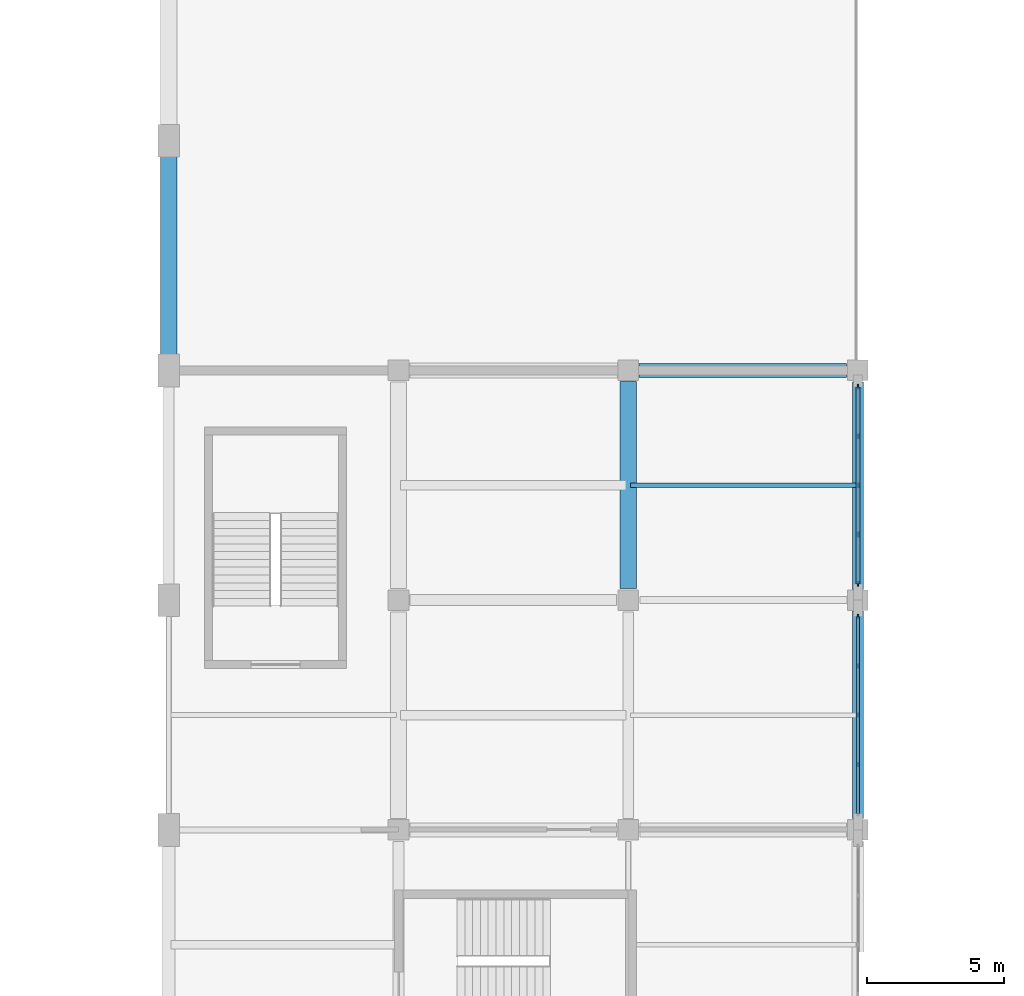
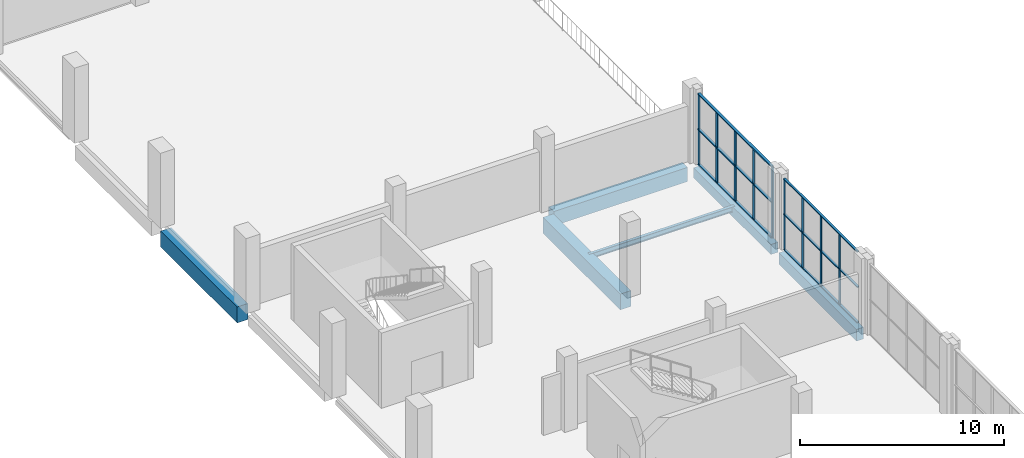
# One storey, part 34 of 75: 15 members, 6 beams, 2 elements without a shape of their own.
"""IFC4 building model written with IfcOpenShell, lengths in metres."""

from ifc_helpers import new_model, si_unit, derived_unit, direction, frame, origin, origin_2d, place, context, subcontext, project, spatial, rectangle, i_section, extrude, material, material_profile, profile_set, type_object, element, aggregate, save


model = new_model("IFC4")

# Units and contexts
model_context = context("Model", 3, precision=1e-05, world=origin(), true_north=direction((0.0, 1.0)))
body_context = subcontext(model_context, "Body", "Model", "MODEL_VIEW")
ifc_project = project(units=[si_unit("LENGTHUNIT", "METRE"), si_unit("AREAUNIT", "SQUARE_METRE"), si_unit("VOLUMEUNIT", "CUBIC_METRE"), si_unit("PLANEANGLEUNIT", "RADIAN"), si_unit("MASSUNIT", "GRAM", prefix="KILO"), derived_unit("THERMALTRANSMITTANCEUNIT", [(si_unit("POWERUNIT", "WATT"), 1), (si_unit("LENGTHUNIT", "METRE"), -2), (si_unit("THERMODYNAMICTEMPERATUREUNIT", "KELVIN"), -1)])], contexts=[model_context])

# Site, building, storey
site_placement = place(None, origin())
site = spatial("IfcSite", under=ifc_project, at=site_placement, CompositionType="ELEMENT")
building_placement = place(site_placement, origin())
building = spatial("IfcBuilding", under=site, at=building_placement, Name="Barrovel Congress Hotel", CompositionType="ELEMENT")
storey_placement = place(building_placement, frame((0.0, 0.0, 5.39990234375)))
storey = spatial("IfcBuildingStorey", under=building, at=storey_placement, Name="L01", CompositionType="ELEMENT", Elevation=5.39990234375)

# Beams
ifc_material_1 = material(Name="Concrete C40", Category="concrete")
ifc_material_profile_1 = material_profile(ifc_material_1, rectangle(XDim=0.39990234375, YDim=0.60009765625, at=origin_2d()), Name="RC400x600")
ifc_profile_set_1 = profile_set([ifc_material_profile_1], Name="Concrete C40")
beam_type_1 = type_object("IfcBeamType", Name="BM-RC400x600", PredefinedType="BEAM", material=ifc_profile_set_1)
beam_1_placement = place(storey_placement, frame((58.800048828125, 71.800048828125, -0.559814453125), z_axis=(0.0, 1.0, 0.0), x_axis=(-1.0, 0.0, 0.0)))
element("IfcBeam", 1, at=beam_1_placement, inside=storey, type_object=beam_type_1, Name="BMY:L01:58.8:71.4-79.8", PredefinedType="BEAM", context=body_context, shape_type="SweptSolid", body=[
    extrude(rectangle(XDim=0.39990234375, YDim=0.60009765625, at=origin_2d()), origin(), (0.0, 0.0, 1.0), 7.574951171875),
])
ifc_material_profile_2 = material_profile(ifc_material_1, rectangle(XDim=0.39990234375, YDim=0.699951171875, at=origin_2d()), Name="RC400x700")
ifc_profile_set_2 = profile_set([ifc_material_profile_2], Name="Concrete C40")
beam_type_2 = type_object("IfcBeamType", Name="BM-RC400x700", PredefinedType="BEAM", material=ifc_profile_set_2)
beam_2_placement = place(storey_placement, frame((58.800048828125, 63.425048828125, -0.60986328125), z_axis=(0.0, 1.0, 0.0), x_axis=(-1.0, 0.0, 0.0)))
element("IfcBeam", 2, at=beam_2_placement, inside=storey, type_object=beam_type_2, Name="BMY:L01:58.8:63.0-71.4", PredefinedType="BEAM", context=body_context, shape_type="SweptSolid", body=[
    extrude(rectangle(XDim=0.39990234375, YDim=0.699951171875, at=origin_2d()), origin(), (0.0, 0.0, 1.0), 7.574951171875),
])
ifc_material_profile_3 = material_profile(ifc_material_1, rectangle(XDim=0.5, YDim=0.85009765625, at=origin_2d()), Name="RC500x850")
ifc_profile_set_3 = profile_set([ifc_material_profile_3], Name="Concrete C40")
beam_type_3 = type_object("IfcBeamType", Name="BM-RC500x850", PredefinedType="BEAM", material=ifc_profile_set_3)
beam_3_placement = place(storey_placement, frame((50.800048828125, 79.800048828125, -0.684814453125), z_axis=(1.0, 0.0, 0.0), x_axis=(0.0, 1.0, 0.0)))
element("IfcBeam", 3, at=beam_3_placement, inside=storey, type_object=beam_type_3, Name="BMX:L01:79.8:50.4-58.8", PredefinedType="BEAM", context=body_context, shape_type="SweptSolid", body=[
    extrude(rectangle(XDim=0.5, YDim=0.85009765625, at=origin_2d()), origin(), (0.0, 0.0, 1.0), 7.574951171875),
])
ifc_material_profile_4 = material_profile(ifc_material_1, rectangle(XDim=0.60009765625, YDim=0.949951171875, at=origin_2d()), Name="RC600x950")
ifc_profile_set_4 = profile_set([ifc_material_profile_4], Name="Concrete C40")
beam_type_4 = type_object("IfcBeamType", Name="BM-RC600x950", PredefinedType="BEAM", material=ifc_profile_set_4)
beam_4_placement = place(storey_placement, frame((33.60009765625, 80.25, -0.73486328125), z_axis=(0.0, 1.0, 0.0), x_axis=(-1.0, 0.0, 0.0)))
element("IfcBeam", 4, at=beam_4_placement, inside=storey, type_object=beam_type_4, Name="BMY:L01:33.6:79.8-88.2", PredefinedType="BEAM", context=body_context, shape_type="SweptSolid", body=[
    extrude(rectangle(XDim=0.60009765625, YDim=0.949951171875, at=origin_2d()), origin(), (0.0, 0.0, 1.0), 7.5),
])
beam_5_placement = place(storey_placement, frame((50.39990234375, 71.824951171875, -0.73486328125), z_axis=(0.0, 1.0, 0.0), x_axis=(-1.0, 0.0, 0.0)))
element("IfcBeam", 5, at=beam_5_placement, inside=storey, type_object=beam_type_4, Name="BMY:L01:50.4:71.4-79.8", PredefinedType="BEAM", context=body_context, shape_type="SweptSolid", body=[
    extrude(rectangle(XDim=0.60009765625, YDim=0.949951171875, at=origin_2d()), origin(), (0.0, 0.0, 1.0), 7.574951171875),
])

# Curtain wall, members
ifc_material_2 = material(Name="Anodised Aluminium Alloy 6063-T6", Category="aluminium")
curtain_wall_type = type_object("IfcCurtainWallType", Name="CW-ST-7200x3600", PredefinedType="USERDEFINED", material=ifc_material_2)
curtain_wall_1_placement = place(storey_placement, origin())
curtain_wall_1 = element("IfcCurtainWall", 6, at=curtain_wall_1_placement, inside=storey, type_object=curtain_wall_type, Name="CW:L01:CW:63.0", ObjectType="STICK CURTAIN WALL", PredefinedType="USERDEFINED")
ifc_material_profile_5 = material_profile(ifc_material_2, rectangle(XDim=0.06005859375, YDim=0.1650390625, at=origin_2d()), Name="AL-M60x165")
ifc_profile_set_5 = profile_set([ifc_material_profile_5], Name="Anodised Aluminium Alloy 6063-T6")
member_type_1 = type_object("IfcMemberType", Name="CWM-AL-M60x165", PredefinedType="MULLION", material=ifc_profile_set_5)
member_1_placement = place(storey_placement, frame((58.800048828125, 65.39990234375, 0.0), z_axis=(0.0, 0.0, 1.0), x_axis=(1.0, 0.0, 0.0)))
member_1 = element("IfcMember", 7, at=member_1_placement, type_object=member_type_1, Name="CW:L01:CW:63.0:M1", PredefinedType="MULLION", context=body_context, shape_type="SweptSolid", body=[
    extrude(rectangle(XDim=0.06005859375, YDim=0.1650390625, at=origin_2d()), origin(), (0.0, 0.0, 1.0), 4.22021484375),
])
member_2_placement = place(storey_placement, frame((58.800048828125, 67.199951171875, 0.0), z_axis=(0.0, 0.0, 1.0), x_axis=(1.0, 0.0, 0.0)))
member_2 = element("IfcMember", 8, at=member_2_placement, type_object=member_type_1, Name="CW:L01:CW:63.0:M2", PredefinedType="MULLION", context=body_context, shape_type="SweptSolid", body=[
    extrude(rectangle(XDim=0.06005859375, YDim=0.1650390625, at=origin_2d()), origin(), (0.0, 0.0, 1.0), 4.22021484375),
])
member_3_placement = place(storey_placement, frame((58.800048828125, 69.0, 0.0), z_axis=(0.0, 0.0, 1.0), x_axis=(1.0, 0.0, 0.0)))
member_3 = element("IfcMember", 9, at=member_3_placement, type_object=member_type_1, Name="CW:L01:CW:63.0:M3", PredefinedType="MULLION", context=body_context, shape_type="SweptSolid", body=[
    extrude(rectangle(XDim=0.06005859375, YDim=0.1650390625, at=origin_2d()), origin(), (0.0, 0.0, 1.0), 4.22021484375),
])
member_4_placement = place(storey_placement, frame((58.800048828125, 70.800048828125, 0.0), z_axis=(0.0, 0.0, 1.0), x_axis=(1.0, 0.0, 0.0)))
member_4 = element("IfcMember", 10, at=member_4_placement, type_object=member_type_1, Name="CW:L01:CW:63.0:M4", PredefinedType="MULLION", context=body_context, shape_type="SweptSolid", body=[
    extrude(rectangle(XDim=0.06005859375, YDim=0.1650390625, at=origin_2d()), origin(), (0.0, 0.0, 1.0), 4.22021484375),
])

curtain_wall_2_placement = place(storey_placement, origin())
curtain_wall_2 = element("IfcCurtainWall", 11, at=curtain_wall_2_placement, inside=storey, type_object=curtain_wall_type, Name="CW:L01:CW:71.4", ObjectType="STICK CURTAIN WALL", PredefinedType="USERDEFINED")
ifc_material_profile_6 = material_profile(ifc_material_2, rectangle(XDim=0.06494140625, YDim=0.18994140625, at=origin_2d()), Name="AL-M65x190")
ifc_profile_set_6 = profile_set([ifc_material_profile_6], Name="Anodised Aluminium Alloy 6063-T6")
member_type_2 = type_object("IfcMemberType", Name="CWM-AL-M65x190", PredefinedType="MULLION", material=ifc_profile_set_6)
member_5_placement = place(storey_placement, frame((58.800048828125, 72.0, 0.0), z_axis=(0.0, 0.0, 1.0), x_axis=(1.0, 0.0, 0.0)))
member_5 = element("IfcMember", 12, at=member_5_placement, type_object=member_type_2, Name="CW:L01:CW:71.4:M0", PredefinedType="MULLION", context=body_context, shape_type="SweptSolid", body=[
    extrude(rectangle(XDim=0.06494140625, YDim=0.18994140625, at=origin_2d()), origin(), (0.0, 0.0, 1.0), 4.22021484375),
])
member_6_placement = place(storey_placement, frame((58.800048828125, 73.800048828125, 0.0), z_axis=(0.0, 0.0, 1.0), x_axis=(1.0, 0.0, 0.0)))
member_6 = element("IfcMember", 13, at=member_6_placement, type_object=member_type_2, Name="CW:L01:CW:71.4:M1", PredefinedType="MULLION", context=body_context, shape_type="SweptSolid", body=[
    extrude(rectangle(XDim=0.06494140625, YDim=0.18994140625, at=origin_2d()), origin(), (0.0, 0.0, 1.0), 4.22021484375),
])
member_7_placement = place(storey_placement, frame((58.800048828125, 75.60009765625, 0.0), z_axis=(0.0, 0.0, 1.0), x_axis=(1.0, 0.0, 0.0)))
member_7 = element("IfcMember", 14, at=member_7_placement, type_object=member_type_2, Name="CW:L01:CW:71.4:M2", PredefinedType="MULLION", context=body_context, shape_type="SweptSolid", body=[
    extrude(rectangle(XDim=0.06494140625, YDim=0.18994140625, at=origin_2d()), origin(), (0.0, 0.0, 1.0), 4.22021484375),
])
member_8_placement = place(storey_placement, frame((58.800048828125, 77.39990234375, 0.0), z_axis=(0.0, 0.0, 1.0), x_axis=(1.0, 0.0, 0.0)))
member_8 = element("IfcMember", 15, at=member_8_placement, type_object=member_type_2, Name="CW:L01:CW:71.4:M3", PredefinedType="MULLION", context=body_context, shape_type="SweptSolid", body=[
    extrude(rectangle(XDim=0.06494140625, YDim=0.18994140625, at=origin_2d()), origin(), (0.0, 0.0, 1.0), 4.22021484375),
])
member_9_placement = place(storey_placement, frame((58.800048828125, 79.199951171875, 0.0), z_axis=(0.0, 0.0, 1.0), x_axis=(1.0, 0.0, 0.0)))
member_9 = element("IfcMember", 16, at=member_9_placement, type_object=member_type_2, Name="CW:L01:CW:71.4:M4", PredefinedType="MULLION", context=body_context, shape_type="SweptSolid", body=[
    extrude(rectangle(XDim=0.06494140625, YDim=0.18994140625, at=origin_2d()), origin(), (0.0, 0.0, 1.0), 4.22021484375),
])

# Member
ifc_material_profile_7 = material_profile(ifc_material_2, rectangle(XDim=0.125, YDim=0.06005859375, at=origin_2d()), Name="AL-T60x125")
ifc_profile_set_7 = profile_set([ifc_material_profile_7], Name="Anodised Aluminium Alloy 6063-T6")
member_type_3 = type_object("IfcMemberType", Name="CWT-AL-T60x125", PredefinedType="USERDEFINED", material=ifc_profile_set_7)
member_10_placement = place(storey_placement, frame((58.800048828125, 63.60009765625, 0.0), z_axis=(0.0, 1.0, 0.0), x_axis=(-1.0, 0.0, 0.0)))
member_10 = element("IfcMember", 17, at=member_10_placement, type_object=member_type_3, Name="CW:L01:CW:63.0:T0", ObjectType="TRANSOM", PredefinedType="USERDEFINED", context=body_context, shape_type="SweptSolid", body=[
    extrude(rectangle(XDim=0.125, YDim=0.06005859375, at=origin_2d()), origin(), (0.0, 0.0, 1.0), 7.199951171875),
])

member_11_placement = place(storey_placement, frame((58.800048828125, 63.60009765625, 2.110107421875), z_axis=(0.0, 1.0, 0.0), x_axis=(-1.0, 0.0, 0.0)))
member_11 = element("IfcMember", 18, at=member_11_placement, type_object=member_type_3, Name="CW:L01:CW:63.0:T1", ObjectType="TRANSOM", PredefinedType="USERDEFINED", context=body_context, shape_type="SweptSolid", body=[
    extrude(rectangle(XDim=0.125, YDim=0.06005859375, at=origin_2d()), origin(), (0.0, 0.0, 1.0), 7.199951171875),
])

member_12_placement = place(storey_placement, frame((58.800048828125, 63.60009765625, 4.22021484375), z_axis=(0.0, 1.0, 0.0), x_axis=(-1.0, 0.0, 0.0)))
member_12 = element("IfcMember", 19, at=member_12_placement, type_object=member_type_3, Name="CW:L01:CW:63.0:T2", ObjectType="TRANSOM", PredefinedType="USERDEFINED", context=body_context, shape_type="SweptSolid", body=[
    extrude(rectangle(XDim=0.125, YDim=0.06005859375, at=origin_2d()), origin(), (0.0, 0.0, 1.0), 7.199951171875),
])

aggregate(curtain_wall_1, [member_1, member_2, member_3, member_4, member_10, member_11, member_12])

ifc_material_profile_8 = material_profile(ifc_material_2, rectangle(XDim=0.14990234375, YDim=0.06494140625, at=origin_2d()), Name="AL-T65x150")
ifc_profile_set_8 = profile_set([ifc_material_profile_8], Name="Anodised Aluminium Alloy 6063-T6")
member_type_4 = type_object("IfcMemberType", Name="CWT-AL-T65x150", PredefinedType="USERDEFINED", material=ifc_profile_set_8)
member_13_placement = place(storey_placement, frame((58.800048828125, 72.0, 0.0), z_axis=(0.0, 1.0, 0.0), x_axis=(-1.0, 0.0, 0.0)))
member_13 = element("IfcMember", 20, at=member_13_placement, type_object=member_type_4, Name="CW:L01:CW:71.4:T0", ObjectType="TRANSOM", PredefinedType="USERDEFINED", context=body_context, shape_type="SweptSolid", body=[
    extrude(rectangle(XDim=0.14990234375, YDim=0.06494140625, at=origin_2d()), origin(), (0.0, 0.0, 1.0), 7.199951171875),
])

member_14_placement = place(storey_placement, frame((58.800048828125, 72.0, 2.110107421875), z_axis=(0.0, 1.0, 0.0), x_axis=(-1.0, 0.0, 0.0)))
member_14 = element("IfcMember", 21, at=member_14_placement, type_object=member_type_4, Name="CW:L01:CW:71.4:T1", ObjectType="TRANSOM", PredefinedType="USERDEFINED", context=body_context, shape_type="SweptSolid", body=[
    extrude(rectangle(XDim=0.14990234375, YDim=0.06494140625, at=origin_2d()), origin(), (0.0, 0.0, 1.0), 7.199951171875),
])

member_15_placement = place(storey_placement, frame((58.800048828125, 72.0, 4.22021484375), z_axis=(0.0, 1.0, 0.0), x_axis=(-1.0, 0.0, 0.0)))
member_15 = element("IfcMember", 22, at=member_15_placement, type_object=member_type_4, Name="CW:L01:CW:71.4:T2", ObjectType="TRANSOM", PredefinedType="USERDEFINED", context=body_context, shape_type="SweptSolid", body=[
    extrude(rectangle(XDim=0.14990234375, YDim=0.06494140625, at=origin_2d()), origin(), (0.0, 0.0, 1.0), 7.199951171875),
])

aggregate(curtain_wall_2, [member_5, member_6, member_7, member_8, member_9, member_13, member_14, member_15])

# Beam
ifc_material_3 = material(Name="Steel ASTM A992 Grade 50", Category="steel")
ifc_material_profile_9 = material_profile(ifc_material_3, i_section(OverallWidth=0.1650390625, OverallDepth=0.31005859375, WebThickness=0.005859375, FlangeThickness=0.009765625, FilletRadius=0.010986328125, at=origin_2d()), Name="W310x39")
ifc_profile_set_9 = profile_set([ifc_material_profile_9], Name="Steel ASTM A992 Grade 50")
beam_type_5 = type_object("IfcBeamType", Name="SBM-W310x39", PredefinedType="JOIST", material=ifc_profile_set_9)
beam_6_placement = place(storey_placement, frame((50.47998046875, 75.60009765625, -0.414794921875), z_axis=(1.0, 0.0, 0.0), x_axis=(0.0, 1.0, 0.0)))
element("IfcBeam", 23, at=beam_6_placement, inside=storey, type_object=beam_type_5, Name="JST:L01:50.4:75.6", PredefinedType="JOIST", context=body_context, shape_type="SweptSolid", body=[
    extrude(i_section(OverallWidth=0.1650390625, OverallDepth=0.31005859375, WebThickness=0.005859375, FlangeThickness=0.009765625, FilletRadius=0.010986328125, at=origin_2d()), origin(), (0.0, 0.0, 1.0), 8.239990234375),
])

save(model, "model.ifc")
